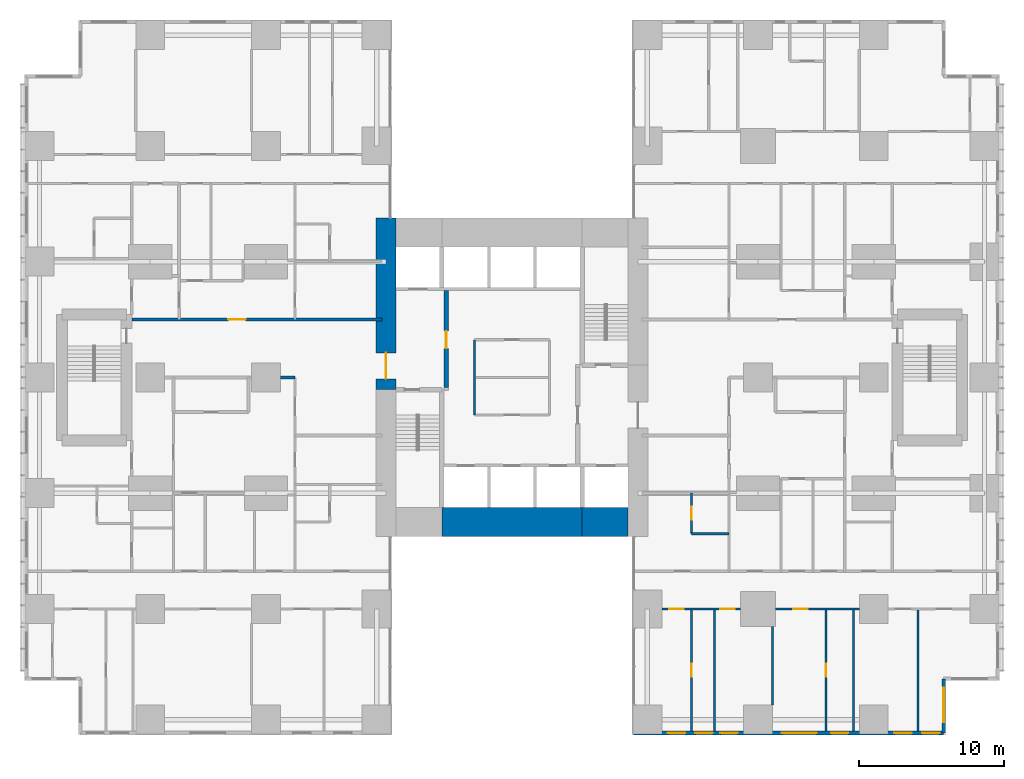
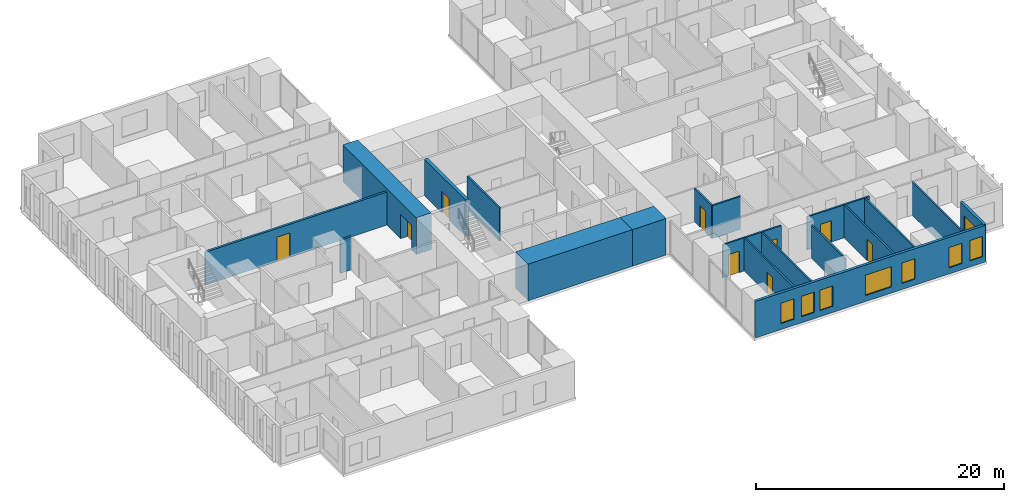
# One storey, part 14 of 20: 19 walls, 9 doors, 8 windows, 17 openings.
"""IFC4 building model written with IfcOpenShell, lengths in metres."""

from ifc_helpers import new_model, si_unit, direction, frame, frame_2d, origin, place, context, subcontext, project, spatial, rectangle, extrude, material, layer, layer_set, type_object, element, fill, save


model = new_model("IFC4")

# Units and contexts
model_context = context("Model", 3, precision=1e-05, world=origin(), true_north=direction((0.0, 1.0)))
body_context = subcontext(model_context, "Body", "Model", "MODEL_VIEW")
ifc_project = project(units=[si_unit("LENGTHUNIT", "METRE"), si_unit("AREAUNIT", "SQUARE_METRE"), si_unit("VOLUMEUNIT", "CUBIC_METRE"), si_unit("PLANEANGLEUNIT", "RADIAN"), si_unit("MASSUNIT", "GRAM", prefix="KILO")], contexts=[model_context])

# Site, building, storey
site_placement = place(None, origin())
site = spatial("IfcSite", under=ifc_project, at=site_placement, CompositionType="ELEMENT")
building_placement = place(site_placement, origin())
building = spatial("IfcBuilding", under=site, at=building_placement, Name="Cleftline Residences", CompositionType="ELEMENT")
storey_placement = place(building_placement, frame((0.0, 0.0, 87.199951171875)))
storey = spatial("IfcBuildingStorey", under=building, at=storey_placement, Name="L22", CompositionType="ELEMENT", Elevation=87.199951171875)

# Wall, opening, door
ifc_material_1 = material(Name="Concrete B70", Category="concrete")
ifc_layer_1 = layer(ifc_material_1, 1.39990234375)
ifc_layer_set_1 = layer_set([ifc_layer_1], Name="CORE WALL 1400")
wall_type_1 = type_object("IfcWallType", Name="CORE WALL 1400", PredefinedType="SHEAR", material=ifc_layer_set_1)
wall_1_placement = place(storey_placement, frame((24.300048828125, 23.14990234375, 0.0), z_axis=(0.0, 0.0, 1.0), x_axis=(0.0, 1.0, 0.0)))
wall_1 = element("IfcWall", 1, at=wall_1_placement, inside=storey, type_object=wall_type_1, Name="Core wall W", PredefinedType="SHEAR", context=body_context, shape_type="SweptSolid", body=[
    extrude(rectangle(XDim=11.85009765625, YDim=1.39990234375, at=frame_2d((5.925048828125, 0.0))), origin(), (0.0, 0.0, 1.0), 3.60009765625),
])
opening_1_placement = place(wall_1_placement, frame((0.75, 0.0, 0.0)))
opening_1 = element("IfcOpeningElement", 2, at=opening_1_placement, cuts=wall_1, Name="Opening D7", PredefinedType="OPENING", context=body_context, shape_type="SweptSolid", body=[
    extrude(rectangle(XDim=1.800048828125, YDim=2.39990234375, at=frame_2d((0.89990234375, 1.199951171875))), frame((0.0, 0.7099609375, 0.0), z_axis=(0.0, -1.0, 0.0), x_axis=(1.0, 0.0, 0.0)), (0.0, 0.0, 1.0), 1.419921875),
])
ifc_material_2 = material(Name="Steel", Category="steel")
door_type_1 = type_object("IfcDoorType", Name="WING DOOR 1800X2400", OperationType="DOUBLE_DOOR_DOUBLE_SWING", PredefinedType="DOOR", material=ifc_material_2)
door_1_placement = place(opening_1_placement, origin())
door_1 = element("IfcDoor", 3, at=door_1_placement, inside=storey, type_object=door_type_1, Name="West wing door", OperationType="DOUBLE_DOOR_DOUBLE_SWING", OverallHeight=2.39990234375, OverallWidth=1.800048828125, PredefinedType="DOOR", context=body_context, shape_type="SweptSolid", body=[
    extrude(rectangle(XDim=1.800048828125, YDim=2.39990234375, at=frame_2d((0.89990234375, 1.199951171875))), frame((0.0, 0.02490234375, 0.0), z_axis=(0.0, -1.0, 0.0), x_axis=(1.0, 0.0, 0.0)), (0.0, 0.0, 1.0), 0.050048828125),
])
fill(opening_1, door_1)

# Walls
ifc_material_3 = material(Name="Concrete B70", Category="concrete")
ifc_layer_2 = layer(ifc_material_3, 2.0)
ifc_layer_set_2 = layer_set([ifc_layer_2], Name="CORE WALL 2000")
wall_type_2 = type_object("IfcWallType", Name="CORE WALL 2000", PredefinedType="SHEAR", material=ifc_layer_set_2)
wall_2_placement = place(storey_placement, frame((28.14990234375, 14.0, 0.0), z_axis=(0.0, 0.0, 1.0), x_axis=(1.0, 0.0, 0.0)))
element("IfcWall", 4, at=wall_2_placement, inside=storey, type_object=wall_type_2, Name="Core wall S2", PredefinedType="SHEAR", context=body_context, shape_type="SweptSolid", body=[
    extrude(rectangle(XDim=9.7001953125, YDim=2.0, at=frame_2d((4.85009765625, 0.0))), origin(), (0.0, 0.0, 1.0), 3.60009765625),
])
wall_3_placement = place(storey_placement, frame((37.85009765625, 14.0, 0.0), z_axis=(0.0, 0.0, 1.0), x_axis=(1.0, 0.0, 0.0)))
element("IfcWall", 5, at=wall_3_placement, inside=storey, type_object=wall_type_2, Name="Core wall S3", PredefinedType="SHEAR", context=body_context, shape_type="SweptSolid", body=[
    extrude(rectangle(XDim=3.14990234375, YDim=2.0, at=frame_2d((1.574951171875, 0.0))), origin(), (0.0, 0.0, 1.0), 3.60009765625),
])

# Wall, openings, windows
ifc_material_4 = material(Name="Rendered reinforced concrete blockwork", Category="masonry")
ifc_layer_3 = layer(ifc_material_4, 0.25)
ifc_layer_set_3 = layer_set([ifc_layer_3], Name="EXTERNAL WALL 250")
wall_type_3 = type_object("IfcWallType", Name="EXTERNAL WALL 250", PredefinedType="SOLIDWALL", material=ifc_layer_set_3)
wall_4_placement = place(storey_placement, frame((41.425048828125, -0.574951171875, 0.0), z_axis=(0.0, 0.0, 1.0), x_axis=(1.0, 0.0, 0.0)))
wall_4 = element("IfcWall", 6, at=wall_4_placement, inside=storey, type_object=wall_type_3, Name="External wall", PredefinedType="SOLIDWALL", context=body_context, shape_type="SweptSolid", body=[
    extrude(rectangle(XDim=21.39990234375, YDim=0.25, at=frame_2d((10.699951171875, 0.0))), origin(), (0.0, 0.0, 1.0), 3.60009765625),
])
opening_2_placement = place(wall_4_placement, frame((2.35009765625, 0.0, 0.60009765625)))
opening_2 = element("IfcOpeningElement", 7, at=opening_2_placement, cuts=wall_4, Name="Opening W8", PredefinedType="OPENING", context=body_context, shape_type="SweptSolid", body=[
    extrude(rectangle(XDim=1.199951171875, YDim=2.0, at=frame_2d((0.60009765625, 1.0))), frame((0.0, 0.135009765625, 0.0), z_axis=(0.0, -1.0, 0.0), x_axis=(1.0, 0.0, 0.0)), (0.0, 0.0, 1.0), 0.27001953125),
])
opening_3_placement = place(wall_4_placement, frame((4.25, 0.0, 0.60009765625)))
opening_3 = element("IfcOpeningElement", 8, at=opening_3_placement, cuts=wall_4, Name="Opening W8", PredefinedType="OPENING", context=body_context, shape_type="SweptSolid", body=[
    extrude(rectangle(XDim=1.199951171875, YDim=2.0, at=frame_2d((0.60009765625, 1.0))), frame((0.0, 0.135009765625, 0.0), z_axis=(0.0, -1.0, 0.0), x_axis=(1.0, 0.0, 0.0)), (0.0, 0.0, 1.0), 0.27001953125),
])
opening_4_placement = place(wall_4_placement, frame((5.97509765625, 0.0, 0.60009765625)))
opening_4 = element("IfcOpeningElement", 9, at=opening_4_placement, cuts=wall_4, Name="Opening W8", PredefinedType="OPENING", context=body_context, shape_type="SweptSolid", body=[
    extrude(rectangle(XDim=1.199951171875, YDim=2.0, at=frame_2d((0.60009765625, 1.0))), frame((0.0, 0.135009765625, 0.0), z_axis=(0.0, -1.0, 0.0), x_axis=(1.0, 0.0, 0.0)), (0.0, 0.0, 1.0), 0.27001953125),
])
opening_5_placement = place(wall_4_placement, frame((10.22509765625, 0.0, 0.60009765625)))
opening_5 = element("IfcOpeningElement", 10, at=opening_5_placement, cuts=wall_4, Name="Opening W6", PredefinedType="OPENING", context=body_context, shape_type="SweptSolid", body=[
    extrude(rectangle(XDim=2.39990234375, YDim=2.0, at=frame_2d((1.199951171875, 1.0))), frame((0.0, 0.135009765625, 0.0), z_axis=(0.0, -1.0, 0.0), x_axis=(1.0, 0.0, 0.0)), (0.0, 0.0, 1.0), 0.27001953125),
])
opening_6_placement = place(wall_4_placement, frame((13.625, 0.0, 0.60009765625)))
opening_6 = element("IfcOpeningElement", 11, at=opening_6_placement, cuts=wall_4, Name="Opening W8", PredefinedType="OPENING", context=body_context, shape_type="SweptSolid", body=[
    extrude(rectangle(XDim=1.199951171875, YDim=2.0, at=frame_2d((0.60009765625, 1.0))), frame((0.0, 0.135009765625, 0.0), z_axis=(0.0, -1.0, 0.0), x_axis=(1.0, 0.0, 0.0)), (0.0, 0.0, 1.0), 0.27001953125),
])
opening_7_placement = place(wall_4_placement, frame((18.0, 0.0, 0.60009765625)))
opening_7 = element("IfcOpeningElement", 12, at=opening_7_placement, cuts=wall_4, Name="Opening W8", PredefinedType="OPENING", context=body_context, shape_type="SweptSolid", body=[
    extrude(rectangle(XDim=1.199951171875, YDim=2.0, at=frame_2d((0.60009765625, 1.0))), frame((0.0, 0.135009765625, 0.0), z_axis=(0.0, -1.0, 0.0), x_axis=(1.0, 0.0, 0.0)), (0.0, 0.0, 1.0), 0.27001953125),
])
opening_8_placement = place(wall_4_placement, frame((19.925048828125, 0.0, 0.60009765625)))
opening_8 = element("IfcOpeningElement", 13, at=opening_8_placement, cuts=wall_4, Name="Opening W8", PredefinedType="OPENING", context=body_context, shape_type="SweptSolid", body=[
    extrude(rectangle(XDim=1.199951171875, YDim=2.0, at=frame_2d((0.60009765625, 1.0))), frame((0.0, 0.135009765625, 0.0), z_axis=(0.0, -1.0, 0.0), x_axis=(1.0, 0.0, 0.0)), (0.0, 0.0, 1.0), 0.27001953125),
])
ifc_material_5 = material(Name="Aluminium frame, clear double glazing", Category="aluminium")
window_type_1 = type_object("IfcWindowType", Name="WINDOW 1200X2000", PartitioningType="DOUBLE_PANEL_VERTICAL", PredefinedType="WINDOW", material=ifc_material_5)
window_1_placement = place(opening_2_placement, origin())
window_1 = element("IfcWindow", 14, at=window_1_placement, inside=storey, type_object=window_type_1, Name="Window", OverallHeight=2.0, OverallWidth=1.199951171875, PartitioningType="SINGLE_PANEL", PredefinedType="WINDOW", context=body_context, shape_type="SweptSolid", body=[
    extrude(rectangle(XDim=1.199951171875, YDim=2.0, at=frame_2d((0.60009765625, 1.0))), frame((0.0, 0.030029296875, 0.0), z_axis=(0.0, -1.0, 0.0), x_axis=(1.0, 0.0, 0.0)), (0.0, 0.0, 1.0), 0.06005859375),
])
fill(opening_2, window_1)
window_2_placement = place(opening_3_placement, origin())
window_2 = element("IfcWindow", 15, at=window_2_placement, inside=storey, type_object=window_type_1, Name="Window", OverallHeight=2.0, OverallWidth=1.199951171875, PartitioningType="SINGLE_PANEL", PredefinedType="WINDOW", context=body_context, shape_type="SweptSolid", body=[
    extrude(rectangle(XDim=1.199951171875, YDim=2.0, at=frame_2d((0.60009765625, 1.0))), frame((0.0, 0.030029296875, 0.0), z_axis=(0.0, -1.0, 0.0), x_axis=(1.0, 0.0, 0.0)), (0.0, 0.0, 1.0), 0.06005859375),
])
fill(opening_3, window_2)
window_3_placement = place(opening_4_placement, origin())
window_3 = element("IfcWindow", 16, at=window_3_placement, inside=storey, type_object=window_type_1, Name="Window", OverallHeight=2.0, OverallWidth=1.199951171875, PartitioningType="SINGLE_PANEL", PredefinedType="WINDOW", context=body_context, shape_type="SweptSolid", body=[
    extrude(rectangle(XDim=1.199951171875, YDim=2.0, at=frame_2d((0.60009765625, 1.0))), frame((0.0, 0.030029296875, 0.0), z_axis=(0.0, -1.0, 0.0), x_axis=(1.0, 0.0, 0.0)), (0.0, 0.0, 1.0), 0.06005859375),
])
fill(opening_4, window_3)
window_4_placement = place(opening_6_placement, origin())
window_4 = element("IfcWindow", 17, at=window_4_placement, inside=storey, type_object=window_type_1, Name="Window", OverallHeight=2.0, OverallWidth=1.199951171875, PartitioningType="SINGLE_PANEL", PredefinedType="WINDOW", context=body_context, shape_type="SweptSolid", body=[
    extrude(rectangle(XDim=1.199951171875, YDim=2.0, at=frame_2d((0.60009765625, 1.0))), frame((0.0, 0.030029296875, 0.0), z_axis=(0.0, -1.0, 0.0), x_axis=(1.0, 0.0, 0.0)), (0.0, 0.0, 1.0), 0.06005859375),
])
fill(opening_6, window_4)
window_5_placement = place(opening_7_placement, origin())
window_5 = element("IfcWindow", 18, at=window_5_placement, inside=storey, type_object=window_type_1, Name="Window", OverallHeight=2.0, OverallWidth=1.199951171875, PartitioningType="SINGLE_PANEL", PredefinedType="WINDOW", context=body_context, shape_type="SweptSolid", body=[
    extrude(rectangle(XDim=1.199951171875, YDim=2.0, at=frame_2d((0.60009765625, 1.0))), frame((0.0, 0.030029296875, 0.0), z_axis=(0.0, -1.0, 0.0), x_axis=(1.0, 0.0, 0.0)), (0.0, 0.0, 1.0), 0.06005859375),
])
fill(opening_7, window_5)
window_6_placement = place(opening_8_placement, origin())
window_6 = element("IfcWindow", 19, at=window_6_placement, inside=storey, type_object=window_type_1, Name="Window", OverallHeight=2.0, OverallWidth=1.199951171875, PartitioningType="SINGLE_PANEL", PredefinedType="WINDOW", context=body_context, shape_type="SweptSolid", body=[
    extrude(rectangle(XDim=1.199951171875, YDim=2.0, at=frame_2d((0.60009765625, 1.0))), frame((0.0, 0.030029296875, 0.0), z_axis=(0.0, -1.0, 0.0), x_axis=(1.0, 0.0, 0.0)), (0.0, 0.0, 1.0), 0.06005859375),
])
fill(opening_8, window_6)
ifc_material_6 = material(Name="Aluminium frame, clear double glazing", Category="aluminium")
window_type_2 = type_object("IfcWindowType", Name="WINDOW 2400X2000", PartitioningType="DOUBLE_PANEL_VERTICAL", PredefinedType="WINDOW", material=ifc_material_6)
window_7_placement = place(opening_5_placement, origin())
window_7 = element("IfcWindow", 20, at=window_7_placement, inside=storey, type_object=window_type_2, Name="Window", OverallHeight=2.0, OverallWidth=2.39990234375, PartitioningType="SINGLE_PANEL", PredefinedType="WINDOW", context=body_context, shape_type="SweptSolid", body=[
    extrude(rectangle(XDim=2.39990234375, YDim=2.0, at=frame_2d((1.199951171875, 1.0))), frame((0.0, 0.030029296875, 0.0), z_axis=(0.0, -1.0, 0.0), x_axis=(1.0, 0.0, 0.0)), (0.0, 0.0, 1.0), 0.06005859375),
])
fill(opening_5, window_7)

# Wall, opening, window
wall_5_placement = place(storey_placement, frame((62.824951171875, -0.574951171875, 0.0), z_axis=(0.0, 0.0, 1.0), x_axis=(0.0, 1.0, 0.0)))
wall_5 = element("IfcWall", 21, at=wall_5_placement, inside=storey, type_object=wall_type_3, Name="External wall", PredefinedType="SOLIDWALL", context=body_context, shape_type="SweptSolid", body=[
    extrude(rectangle(XDim=3.75, YDim=0.25, at=frame_2d((1.875, 0.0))), origin(), (0.0, 0.0, 1.0), 3.60009765625),
])
opening_9_placement = place(wall_5_placement, frame((0.737548828125, 0.0, 0.60009765625)))
opening_9 = element("IfcOpeningElement", 22, at=opening_9_placement, cuts=wall_5, Name="Opening W6", PredefinedType="OPENING", context=body_context, shape_type="SweptSolid", body=[
    extrude(rectangle(XDim=2.39990234375, YDim=2.0, at=frame_2d((1.199951171875, 1.0))), frame((0.0, 0.135009765625, 0.0), z_axis=(0.0, -1.0, 0.0), x_axis=(1.0, 0.0, 0.0)), (0.0, 0.0, 1.0), 0.27001953125),
])
window_8_placement = place(opening_9_placement, origin())
window_8 = element("IfcWindow", 23, at=window_8_placement, inside=storey, type_object=window_type_2, Name="Window", OverallHeight=2.0, OverallWidth=2.39990234375, PartitioningType="SINGLE_PANEL", PredefinedType="WINDOW", context=body_context, shape_type="SweptSolid", body=[
    extrude(rectangle(XDim=2.39990234375, YDim=2.0, at=frame_2d((1.199951171875, 1.0))), frame((0.0, 0.030029296875, 0.0), z_axis=(0.0, -1.0, 0.0), x_axis=(1.0, 0.0, 0.0)), (0.0, 0.0, 1.0), 0.06005859375),
])
fill(opening_9, window_8)

# Wall
ifc_material_7 = material(Name="Concrete blockwork, fire rated", Category="masonry")
ifc_layer_4 = layer(ifc_material_7, 0.199951171875)
ifc_layer_set_4 = layer_set([ifc_layer_4], Name="FIRE WALL 200")
wall_type_4 = type_object("IfcWallType", Name="FIRE WALL 200", PredefinedType="PARTITIONING", material=ifc_layer_set_4)
wall_6_placement = place(storey_placement, frame((17.0, 24.0, 0.0), z_axis=(0.0, 0.0, 1.0), x_axis=(1.0, 0.0, 0.0)))
element("IfcWall", 24, at=wall_6_placement, inside=storey, type_object=wall_type_4, Name="Fire separating wall", PredefinedType="PARTITIONING", context=body_context, shape_type="SweptSolid", body=[
    extrude(rectangle(XDim=1.0, YDim=0.199951171875, at=frame_2d((0.5, 0.0))), origin(), (0.0, 0.0, 1.0), 3.25),
])

# Wall, opening, door
wall_7_placement = place(storey_placement, frame((6.72509765625, 28.0, 0.0), z_axis=(0.0, 0.0, 1.0), x_axis=(1.0, 0.0, 0.0)))
wall_7 = element("IfcWall", 25, at=wall_7_placement, inside=storey, type_object=wall_type_4, Name="Fire separating wall", PredefinedType="PARTITIONING", context=body_context, shape_type="SweptSolid", body=[
    extrude(rectangle(XDim=17.27490234375, YDim=0.199951171875, at=frame_2d((8.637451171875, 0.0))), origin(), (0.0, 0.0, 1.0), 3.25),
])
opening_10_placement = place(wall_7_placement, frame((6.675048828125, 0.0, 0.0)))
opening_10 = element("IfcOpeningElement", 26, at=opening_10_placement, cuts=wall_7, Name="Opening D4", PredefinedType="OPENING", context=body_context, shape_type="SweptSolid", body=[
    extrude(rectangle(XDim=1.199951171875, YDim=2.39990234375, at=frame_2d((0.60009765625, 1.199951171875))), frame((0.0, 0.10986328125, 0.0), z_axis=(0.0, -1.0, 0.0), x_axis=(1.0, 0.0, 0.0)), (0.0, 0.0, 1.0), 0.219970703125),
])
ifc_material_8 = material(Name="Timber veneer on solid core", Category="wood")
door_type_2 = type_object("IfcDoorType", Name="APARTMENT ENTRANCE DOOR 1200X2400", OperationType="SINGLE_SWING_RIGHT", PredefinedType="DOOR", material=ifc_material_8)
door_2_placement = place(opening_10_placement, origin())
door_2 = element("IfcDoor", 27, at=door_2_placement, inside=storey, type_object=door_type_2, Name="Door to residence entrance foyer", OperationType="SINGLE_SWING_RIGHT", OverallHeight=2.39990234375, OverallWidth=1.199951171875, PredefinedType="DOOR", context=body_context, shape_type="SweptSolid", body=[
    extrude(rectangle(XDim=1.199951171875, YDim=2.39990234375, at=frame_2d((0.60009765625, 1.199951171875))), frame((0.0, 0.02490234375, 0.0), z_axis=(0.0, -1.0, 0.0), x_axis=(1.0, 0.0, 0.0)), (0.0, 0.0, 1.0), 0.050048828125),
])
fill(opening_10, door_2)

# Wall, openings, doors
ifc_material_9 = material(Name="Gypsum board on steel studs", Category="steel")
ifc_layer_5 = layer(ifc_material_9, 0.14990234375)
ifc_layer_set_5 = layer_set([ifc_layer_5], Name="PARTITION 150")
wall_type_5 = type_object("IfcWallType", Name="PARTITION 150", PredefinedType="PARTITIONING", material=ifc_layer_set_5)
wall_8_placement = place(storey_placement, frame((43.35009765625, 8.0, 0.0), z_axis=(0.0, 0.0, 1.0), x_axis=(1.0, 0.0, 0.0)))
wall_8 = element("IfcWall", 28, at=wall_8_placement, inside=storey, type_object=wall_type_5, Name="Partition", PredefinedType="PARTITIONING", context=body_context, shape_type="SweptSolid", body=[
    extrude(rectangle(XDim=5.449951171875, YDim=0.14990234375, at=frame_2d((2.72509765625, 0.0))), origin(), (0.0, 0.0, 1.0), 3.25),
])
opening_11_placement = place(wall_8_placement, frame((4.050048828125, 0.0, 0.0)))
opening_11 = element("IfcOpeningElement", 29, at=opening_11_placement, cuts=wall_8, Name="Opening D2", PredefinedType="OPENING", context=body_context, shape_type="SweptSolid", body=[
    extrude(rectangle(XDim=1.0, YDim=2.10009765625, at=frame_2d((0.5, 1.050048828125))), frame((0.0, 0.0849609375, 0.0), z_axis=(0.0, -1.0, 0.0), x_axis=(1.0, 0.0, 0.0)), (0.0, 0.0, 1.0), 0.169921875),
])
opening_12_placement = place(wall_8_placement, frame((0.52490234375, 0.0, 0.0)))
opening_12 = element("IfcOpeningElement", 30, at=opening_12_placement, cuts=wall_8, Name="Opening D2", PredefinedType="OPENING", context=body_context, shape_type="SweptSolid", body=[
    extrude(rectangle(XDim=1.0, YDim=2.10009765625, at=frame_2d((0.5, 1.050048828125))), frame((0.0, 0.0849609375, 0.0), z_axis=(0.0, -1.0, 0.0), x_axis=(1.0, 0.0, 0.0)), (0.0, 0.0, 1.0), 0.169921875),
])
ifc_material_10 = material(Name="Timber veneer on solid core", Category="wood")
door_type_3 = type_object("IfcDoorType", Name="DOOR 1000X2100", OperationType="SINGLE_SWING_LEFT", PredefinedType="DOOR", material=ifc_material_10)
door_3_placement = place(opening_11_placement, origin())
door_3 = element("IfcDoor", 31, at=door_3_placement, inside=storey, type_object=door_type_3, Name="Door to dining room", OperationType="SINGLE_SWING_LEFT", OverallHeight=2.10009765625, OverallWidth=1.0, PredefinedType="DOOR", context=body_context, shape_type="SweptSolid", body=[
    extrude(rectangle(XDim=1.0, YDim=2.10009765625, at=frame_2d((0.5, 1.050048828125))), frame((0.0, 0.02490234375, 0.0), z_axis=(0.0, -1.0, 0.0), x_axis=(1.0, 0.0, 0.0)), (0.0, 0.0, 1.0), 0.050048828125),
])
fill(opening_11, door_3)
door_4_placement = place(opening_12_placement, origin())
door_4 = element("IfcDoor", 32, at=door_4_placement, inside=storey, type_object=door_type_3, Name="Door to show kitchen", OperationType="SINGLE_SWING_RIGHT", OverallHeight=2.10009765625, OverallWidth=1.0, PredefinedType="DOOR", context=body_context, shape_type="SweptSolid", body=[
    extrude(rectangle(XDim=1.0, YDim=2.10009765625, at=frame_2d((0.5, 1.050048828125))), frame((0.0, 0.02490234375, 0.0), z_axis=(0.0, -1.0, 0.0), x_axis=(1.0, 0.0, 0.0)), (0.0, 0.0, 1.0), 0.050048828125),
])
fill(opening_12, door_4)

# Wall, opening, door
wall_9_placement = place(storey_placement, frame((51.199951171875, 8.0, 0.0), z_axis=(0.0, 0.0, 1.0), x_axis=(1.0, 0.0, 0.0)))
wall_9 = element("IfcWall", 33, at=wall_9_placement, inside=storey, type_object=wall_type_5, Name="Partition", PredefinedType="PARTITIONING", context=body_context, shape_type="SweptSolid", body=[
    extrude(rectangle(XDim=5.800048828125, YDim=0.14990234375, at=frame_2d((2.89990234375, 0.0))), origin(), (0.0, 0.0, 1.0), 3.25),
])
opening_13_placement = place(wall_9_placement, frame((1.25, 0.0, 0.0)))
opening_13 = element("IfcOpeningElement", 34, at=opening_13_placement, cuts=wall_9, Name="Opening D2", PredefinedType="OPENING", context=body_context, shape_type="SweptSolid", body=[
    extrude(rectangle(XDim=1.0, YDim=2.10009765625, at=frame_2d((0.5, 1.050048828125))), frame((0.0, 0.0849609375, 0.0), z_axis=(0.0, -1.0, 0.0), x_axis=(1.0, 0.0, 0.0)), (0.0, 0.0, 1.0), 0.169921875),
])
door_5_placement = place(opening_13_placement, origin())
door_5 = element("IfcDoor", 35, at=door_5_placement, inside=storey, type_object=door_type_3, Name="Door to bedroom 3", OperationType="SINGLE_SWING_RIGHT", OverallHeight=2.10009765625, OverallWidth=1.0, PredefinedType="DOOR", context=body_context, shape_type="SweptSolid", body=[
    extrude(rectangle(XDim=1.0, YDim=2.10009765625, at=frame_2d((0.5, 1.050048828125))), frame((0.0, 0.02490234375, 0.0), z_axis=(0.0, -1.0, 0.0), x_axis=(1.0, 0.0, 0.0)), (0.0, 0.0, 1.0), 0.050048828125),
])
fill(opening_13, door_5)

# Wall
wall_10_placement = place(storey_placement, frame((45.39990234375, 13.199951171875, 0.0), z_axis=(0.0, 0.0, 1.0), x_axis=(1.0, 0.0, 0.0)))
element("IfcWall", 36, at=wall_10_placement, inside=storey, type_object=wall_type_5, Name="Partition", PredefinedType="PARTITIONING", context=body_context, shape_type="SweptSolid", body=[
    extrude(rectangle(XDim=2.60009765625, YDim=0.14990234375, at=frame_2d((1.300048828125, 0.0))), origin(), (0.0, 0.0, 1.0), 3.25),
])

# Wall, opening, door
wall_11_placement = place(storey_placement, frame((45.39990234375, -0.449951171875, 0.0), z_axis=(0.0, 0.0, 1.0), x_axis=(0.0, 1.0, 0.0)))
wall_11 = element("IfcWall", 37, at=wall_11_placement, inside=storey, type_object=wall_type_5, Name="Partition", PredefinedType="PARTITIONING", context=body_context, shape_type="SweptSolid", body=[
    extrude(rectangle(XDim=8.449951171875, YDim=0.14990234375, at=frame_2d((4.22509765625, 0.0))), origin(), (0.0, 0.0, 1.0), 3.25),
])
opening_14_placement = place(wall_11_placement, frame((3.77490234375, 0.0, 0.0)))
opening_14 = element("IfcOpeningElement", 38, at=opening_14_placement, cuts=wall_11, Name="Opening D1", PredefinedType="OPENING", context=body_context, shape_type="SweptSolid", body=[
    extrude(rectangle(XDim=0.89990234375, YDim=2.10009765625, at=frame_2d((0.449951171875, 1.050048828125))), frame((0.0, 0.0849609375, 0.0), z_axis=(0.0, -1.0, 0.0), x_axis=(1.0, 0.0, 0.0)), (0.0, 0.0, 1.0), 0.169921875),
])
ifc_material_11 = material(Name="Timber veneer on solid core", Category="wood")
door_type_4 = type_object("IfcDoorType", Name="DOOR 900X2100", OperationType="SINGLE_SWING_LEFT", PredefinedType="DOOR", material=ifc_material_11)
door_6_placement = place(opening_14_placement, origin())
door_6 = element("IfcDoor", 39, at=door_6_placement, inside=storey, type_object=door_type_4, Name="Door to larder", OperationType="SINGLE_SWING_LEFT", OverallHeight=2.10009765625, OverallWidth=0.89990234375, PredefinedType="DOOR", context=body_context, shape_type="SweptSolid", body=[
    extrude(rectangle(XDim=0.89990234375, YDim=2.10009765625, at=frame_2d((0.449951171875, 1.050048828125))), frame((0.0, 0.02490234375, 0.0), z_axis=(0.0, -1.0, 0.0), x_axis=(1.0, 0.0, 0.0)), (0.0, 0.0, 1.0), 0.050048828125),
])
fill(opening_14, door_6)

wall_12_placement = place(storey_placement, frame((45.39990234375, 13.199951171875, 0.0), z_axis=(0.0, 0.0, 1.0), x_axis=(0.0, 1.0, 0.0)))
wall_12 = element("IfcWall", 40, at=wall_12_placement, inside=storey, type_object=wall_type_5, Name="Partition", PredefinedType="PARTITIONING", context=body_context, shape_type="SweptSolid", body=[
    extrude(rectangle(XDim=2.800048828125, YDim=0.14990234375, at=frame_2d((1.39990234375, 0.0))), origin(), (0.0, 0.0, 1.0), 3.25),
])
opening_15_placement = place(wall_12_placement, frame((0.949951171875, 0.0, 0.0)))
opening_15 = element("IfcOpeningElement", 41, at=opening_15_placement, cuts=wall_12, Name="Opening D1", PredefinedType="OPENING", context=body_context, shape_type="SweptSolid", body=[
    extrude(rectangle(XDim=0.89990234375, YDim=2.10009765625, at=frame_2d((0.449951171875, 1.050048828125))), frame((0.0, 0.0849609375, 0.0), z_axis=(0.0, -1.0, 0.0), x_axis=(1.0, 0.0, 0.0)), (0.0, 0.0, 1.0), 0.169921875),
])
door_7_placement = place(opening_15_placement, origin())
door_7 = element("IfcDoor", 42, at=door_7_placement, inside=storey, type_object=door_type_4, Name="Door to master bathroom", OperationType="SINGLE_SWING_LEFT", OverallHeight=2.10009765625, OverallWidth=0.89990234375, PredefinedType="DOOR", context=body_context, shape_type="SweptSolid", body=[
    extrude(rectangle(XDim=0.89990234375, YDim=2.10009765625, at=frame_2d((0.449951171875, 1.050048828125))), frame((0.0, 0.02490234375, 0.0), z_axis=(0.0, -1.0, 0.0), x_axis=(1.0, 0.0, 0.0)), (0.0, 0.0, 1.0), 0.050048828125),
])
fill(opening_15, door_7)

# Walls
wall_13_placement = place(storey_placement, frame((47.0, -0.449951171875, 0.0), z_axis=(0.0, 0.0, 1.0), x_axis=(0.0, 1.0, 0.0)))
element("IfcWall", 43, at=wall_13_placement, inside=storey, type_object=wall_type_5, Name="Partition", PredefinedType="PARTITIONING", context=body_context, shape_type="SweptSolid", body=[
    extrude(rectangle(XDim=8.449951171875, YDim=0.14990234375, at=frame_2d((4.22509765625, 0.0))), origin(), (0.0, 0.0, 1.0), 3.25),
])
wall_14_placement = place(storey_placement, frame((51.0, 1.35009765625, 0.0), z_axis=(0.0, 0.0, 1.0), x_axis=(0.0, 1.0, 0.0)))
element("IfcWall", 44, at=wall_14_placement, inside=storey, type_object=wall_type_5, Name="Partition", PredefinedType="PARTITIONING", context=body_context, shape_type="SweptSolid", body=[
    extrude(rectangle(XDim=5.449951171875, YDim=0.14990234375, at=frame_2d((2.72509765625, 0.0))), origin(), (0.0, 0.0, 1.0), 3.25),
])

# Wall, opening, door
wall_15_placement = place(storey_placement, frame((54.699951171875, -0.449951171875, 0.0), z_axis=(0.0, 0.0, 1.0), x_axis=(0.0, 1.0, 0.0)))
wall_15 = element("IfcWall", 45, at=wall_15_placement, inside=storey, type_object=wall_type_5, Name="Partition", PredefinedType="PARTITIONING", context=body_context, shape_type="SweptSolid", body=[
    extrude(rectangle(XDim=8.449951171875, YDim=0.14990234375, at=frame_2d((4.22509765625, 0.0))), origin(), (0.0, 0.0, 1.0), 3.25),
])
opening_16_placement = place(wall_15_placement, frame((3.77490234375, 0.0, 0.0)))
opening_16 = element("IfcOpeningElement", 46, at=opening_16_placement, cuts=wall_15, Name="Opening D1", PredefinedType="OPENING", context=body_context, shape_type="SweptSolid", body=[
    extrude(rectangle(XDim=0.89990234375, YDim=2.10009765625, at=frame_2d((0.449951171875, 1.050048828125))), frame((0.0, 0.0849609375, 0.0), z_axis=(0.0, -1.0, 0.0), x_axis=(1.0, 0.0, 0.0)), (0.0, 0.0, 1.0), 0.169921875),
])
door_8_placement = place(opening_16_placement, origin())
door_8 = element("IfcDoor", 47, at=door_8_placement, inside=storey, type_object=door_type_4, Name="Door to en-suite bathroom 3", OperationType="SINGLE_SWING_LEFT", OverallHeight=2.10009765625, OverallWidth=0.89990234375, PredefinedType="DOOR", context=body_context, shape_type="SweptSolid", body=[
    extrude(rectangle(XDim=0.89990234375, YDim=2.10009765625, at=frame_2d((0.449951171875, 1.050048828125))), frame((0.0, 0.02490234375, 0.0), z_axis=(0.0, -1.0, 0.0), x_axis=(1.0, 0.0, 0.0)), (0.0, 0.0, 1.0), 0.050048828125),
])
fill(opening_16, door_8)

# Walls
for number, where, z_axis, x_axis, name in (
    (48, (56.60009765625, -0.449951171875, 0.0), (0.0, 0.0, 1.0), (0.0, 1.0, 0.0), "Partition"),
    (49, (61.050048828125, -0.449951171875, 0.0), (0.0, 0.0, 1.0), (0.0, 1.0, 0.0), "Partition"),
):
    element("IfcWall", number, at=place(storey_placement, frame(where, z_axis=z_axis, x_axis=x_axis)), inside=storey, type_object=wall_type_5, Name=name, PredefinedType="PARTITIONING", context=body_context, shape_type="SweptSolid", body=[
        extrude(rectangle(XDim=8.449951171875, YDim=0.14990234375, at=frame_2d((4.22509765625, 0.0))), origin(), (0.0, 0.0, 1.0), 3.25),
    ])
ifc_material_12 = material(Name="Fire-resisting gypsum board on steel studs", Category="steel")
ifc_layer_6 = layer(ifc_material_12, 0.14990234375)
ifc_layer_set_6 = layer_set([ifc_layer_6], Name="PARTITION 150 EI 60")
wall_type_6 = type_object("IfcWallType", Name="PARTITION 150 EI 60", PredefinedType="PARTITIONING", material=ifc_layer_set_6)
wall_16_placement = place(storey_placement, frame((30.39990234375, 21.39990234375, 0.0), z_axis=(0.0, 0.0, 1.0), x_axis=(0.0, 1.0, 0.0)))
element("IfcWall", 50, at=wall_16_placement, inside=storey, type_object=wall_type_6, Name="Core room partition", PredefinedType="PARTITIONING", context=body_context, shape_type="SweptSolid", body=[
    extrude(rectangle(XDim=5.2001953125, YDim=0.14990234375, at=frame_2d((2.60009765625, 0.0))), origin(), (0.0, 0.0, 1.0), 3.25),
])

# Wall, opening, door
ifc_material_13 = material(Name="Concrete blockwork, fire rated", Category="masonry")
ifc_layer_7 = layer(ifc_material_13, 0.300048828125)
ifc_layer_set_7 = layer_set([ifc_layer_7], Name="STAIR LOBBY WALL 300")
wall_type_7 = type_object("IfcWallType", Name="STAIR LOBBY WALL 300", PredefinedType="PARTITIONING", material=ifc_layer_set_7)
wall_17_placement = place(storey_placement, frame((28.449951171875, 23.300048828125, 0.0), z_axis=(0.0, 0.0, 1.0), x_axis=(0.0, 1.0, 0.0)))
wall_17 = element("IfcWall", 51, at=wall_17_placement, inside=storey, type_object=wall_type_7, Name="Stair and lobby wall FA-E", PredefinedType="PARTITIONING", context=body_context, shape_type="SweptSolid", body=[
    extrude(rectangle(XDim=6.699951171875, YDim=0.300048828125, at=frame_2d((3.35009765625, 0.0))), origin(), (0.0, 0.0, 1.0), 3.60009765625),
])
opening_17_placement = place(wall_17_placement, frame((2.699951171875, 0.0, 0.0)))
opening_17 = element("IfcOpeningElement", 52, at=opening_17_placement, cuts=wall_17, Name="Opening D6", PredefinedType="OPENING", context=body_context, shape_type="SweptSolid", body=[
    extrude(rectangle(XDim=1.199951171875, YDim=2.10009765625, at=frame_2d((0.60009765625, 1.050048828125))), frame((0.0, 0.159912109375, 0.0), z_axis=(0.0, -1.0, 0.0), x_axis=(1.0, 0.0, 0.0)), (0.0, 0.0, 1.0), 0.320068359375),
])
ifc_material_14 = material(Name="Steel", Category="steel")
door_type_5 = type_object("IfcDoorType", Name="LOBBY DOOR 1200X2100", OperationType="SINGLE_SWING_RIGHT", PredefinedType="DOOR", material=ifc_material_14)
door_9_placement = place(opening_17_placement, origin())
door_9 = element("IfcDoor", 53, at=door_9_placement, inside=storey, type_object=door_type_5, Name="Firefighting lobby A door", OperationType="SINGLE_SWING_RIGHT", OverallHeight=2.10009765625, OverallWidth=1.199951171875, PredefinedType="DOOR", context=body_context, shape_type="SweptSolid", body=[
    extrude(rectangle(XDim=1.199951171875, YDim=2.10009765625, at=frame_2d((0.60009765625, 1.050048828125))), frame((0.0, 0.02490234375, 0.0), z_axis=(0.0, -1.0, 0.0), x_axis=(1.0, 0.0, 0.0)), (0.0, 0.0, 1.0), 0.050048828125),
])
fill(opening_17, door_9)

save(model, "model.ifc")
